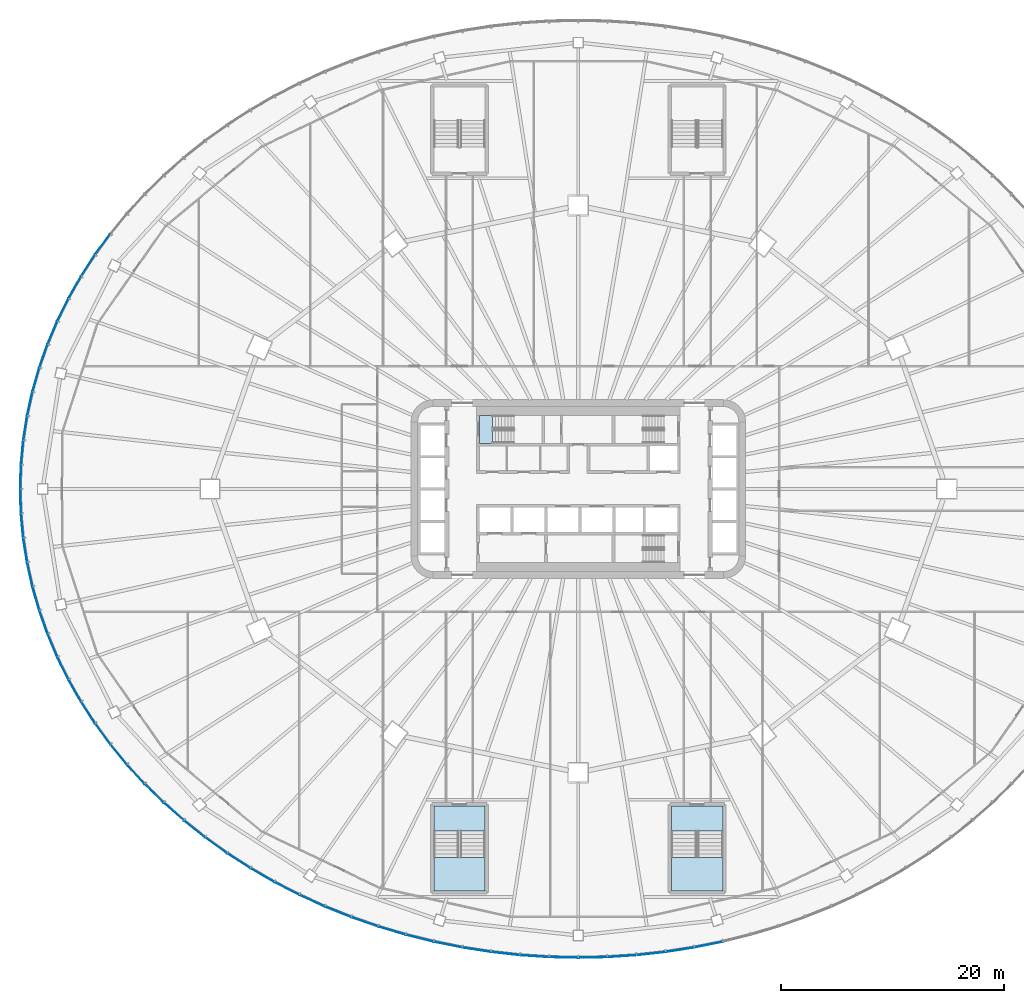
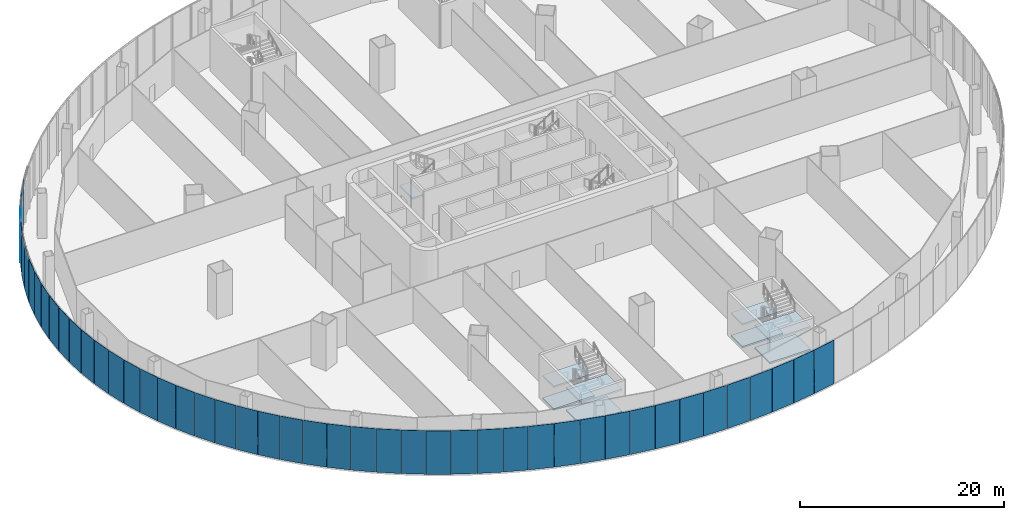
# One storey, part 16 of 42: 46 plates, 9 slabs, 13 elements without a shape of their own.
"""IFC4 building model written with IfcOpenShell, lengths in metres."""

from ifc_helpers import new_model, si_unit, direction, frame, origin, place, context, subcontext, project, spatial, polyline, outline, extrude, material, layer, layer_set, type_object, element, aggregate, save


model = new_model("IFC4")

# Units and contexts
model_context = context("Model", 3, precision=1e-05, world=origin(), true_north=direction((0.0, 1.0)))
body_context = subcontext(model_context, "Body", "Model", "MODEL_VIEW")
ifc_project = project(units=[si_unit("LENGTHUNIT", "METRE"), si_unit("AREAUNIT", "SQUARE_METRE"), si_unit("VOLUMEUNIT", "CUBIC_METRE"), si_unit("PLANEANGLEUNIT", "RADIAN"), si_unit("MASSUNIT", "GRAM", prefix="KILO")], contexts=[model_context])

# Site, building, storey
site_placement = place(None, origin())
site = spatial("IfcSite", under=ifc_project, at=site_placement, CompositionType="ELEMENT")
building_placement = place(site_placement, origin())
building = spatial("IfcBuilding", under=site, at=building_placement, Name="Sahrelin Media Tower", CompositionType="ELEMENT")
storey_placement = place(building_placement, frame((0.0, 0.0, 26.0)))
storey = spatial("IfcBuildingStorey", under=building, at=storey_placement, Name="L03", CompositionType="ELEMENT", Elevation=26.0)

# Curtain wall, plate
ifc_material_1 = material(Name="Champagne anodised aluminium 6063-T6", Category="aluminium")
ifc_layer_1 = layer(ifc_material_1, 0.14990234375)
ifc_layer_set_1 = layer_set([ifc_layer_1], Name="Podium ribbon curtain wall")
curtain_wall_type = type_object("IfcCurtainWallType", Name="Podium ribbon curtain wall", PredefinedType="NOTDEFINED", material=ifc_layer_set_1)
curtain_wall_1_placement = place(storey_placement, frame((-35.355224609375, 29.698486328125, 0.0), z_axis=(0.0, 0.0, 1.0), x_axis=(1.0, 0.0, 0.0)))
curtain_wall_1 = element("IfcCurtainWall", 1, at=curtain_wall_1_placement, inside=storey, type_object=curtain_wall_type, Name="L03:CW:L03-P09", PredefinedType="NOTDEFINED")
ifc_material_2 = material(Name="Clear low-iron glazing", Category="glass")
ifc_layer_2 = layer(ifc_material_2, 0.050048828125)
ifc_layer_set_2 = layer_set([ifc_layer_2], Name="Glazing panel 50 mm CW5")
plate_type = type_object("IfcPlateType", Name="Glazing panel 50 mm CW5", PredefinedType="CURTAIN_PANEL", material=ifc_layer_set_2)
plate_1_placement = place(storey_placement, frame((-41.97900390625, 22.84619140625, 0.0), z_axis=(-0.807851823107, 0.589385639376, 0.0), x_axis=(-0.589385639376, -0.807851823107, 0.0)))
plate_1 = element("IfcPlate", 2, at=plate_1_placement, type_object=plate_type, Name="L03:CWP5a:L03-P09", PredefinedType="CURTAIN_PANEL", context=body_context, shape_type="SweptSolid", body=[
    extrude(outline(polyline([(0.0, 0.0), (2.270751953125, 0.0), (2.270751953125, 5.199951171875), (0.0, 5.199951171875), (0.0, 0.0)])), origin(), (0.0, 0.0, -1.0), 0.050048828125),
])
aggregate(curtain_wall_1, [plate_1])

# Curtain wall, plates
curtain_wall_2_placement = place(storey_placement, frame((-43.30126953125, 21.0, 0.0), z_axis=(0.0, 0.0, 1.0), x_axis=(1.0, 0.0, 0.0)))
curtain_wall_2 = element("IfcCurtainWall", 3, at=curtain_wall_2_placement, inside=storey, type_object=curtain_wall_type, Name="L03:CW:L03-P10", PredefinedType="NOTDEFINED")
plate_2_placement = place(storey_placement, frame((-43.34521484375, 20.968994140625, 0.0), z_axis=(-0.8398261415, 0.542855461476, 0.0), x_axis=(-0.542855461476, -0.8398261415, 0.0)))
plate_2 = element("IfcPlate", 4, at=plate_2_placement, type_object=plate_type, Name="L03:CWP1a:L03-P10", PredefinedType="CURTAIN_PANEL", context=body_context, shape_type="SweptSolid", body=[
    extrude(outline(polyline([(0.0, 0.0), (2.2509765625, 0.0), (2.2509765625, 5.199951171875), (0.0, 5.199951171875), (0.0, 0.0)])), origin(), (0.0, 0.0, -1.0), 0.050048828125),
])
plate_3_placement = place(storey_placement, frame((-44.59228515625, 19.033935546875, 0.0), z_axis=(-0.869579307172, 0.493793305481, 0.0), x_axis=(-0.493793305481, -0.869579307172, 0.0)))
plate_3 = element("IfcPlate", 5, at=plate_3_placement, type_object=plate_type, Name="L03:CWP2a:L03-P10", PredefinedType="CURTAIN_PANEL", context=body_context, shape_type="SweptSolid", body=[
    extrude(outline(polyline([(0.0, 0.0), (2.232421875, 0.0), (2.232421875, 5.199951171875), (0.0, 5.199951171875), (0.0, 0.0)])), origin(), (0.0, 0.0, -1.0), 0.050048828125),
])
plate_4_placement = place(storey_placement, frame((-45.71728515625, 17.046875, 0.0), z_axis=(-0.896860688501, 0.442313130509, 0.0), x_axis=(-0.442313130509, -0.896860688501, 0.0)))
plate_4 = element("IfcPlate", 6, at=plate_4_placement, type_object=plate_type, Name="L03:CWP3a:L03-P10", PredefinedType="CURTAIN_PANEL", context=body_context, shape_type="SweptSolid", body=[
    extrude(outline(polyline([(0.0, 0.0), (2.215087890625, 0.0), (2.215087890625, 5.199951171875), (0.0, 5.199951171875), (0.0, 0.0)])), origin(), (0.0, 0.0, -1.0), 0.050048828125),
])
plate_5_placement = place(storey_placement, frame((-46.716796875, 15.01318359375, 0.0), z_axis=(-0.921443029492, 0.388513504785, 0.0), x_axis=(-0.388513504785, -0.921443029492, 0.0)))
plate_5 = element("IfcPlate", 7, at=plate_5_placement, type_object=plate_type, Name="L03:CWP4a:L03-P10", PredefinedType="CURTAIN_PANEL", context=body_context, shape_type="SweptSolid", body=[
    extrude(outline(polyline([(0.0, 0.0), (2.199462890625, 0.0), (2.199462890625, 5.199951171875), (0.0, 5.199951171875), (0.0, 0.0)])), origin(), (0.0, 0.0, -1.0), 0.050048828125),
])
plate_6_placement = place(storey_placement, frame((-47.58837890625, 12.938232421875, 0.0), z_axis=(-0.943078982839, 0.332568838179, 0.0), x_axis=(-0.332568838179, -0.943078982839, 0.0)))
plate_6 = element("IfcPlate", 8, at=plate_6_placement, type_object=plate_type, Name="L03:CWP5a:L03-P10", PredefinedType="CURTAIN_PANEL", context=body_context, shape_type="SweptSolid", body=[
    extrude(outline(polyline([(0.0, 0.0), (2.185546875, 0.0), (2.185546875, 5.199951171875), (0.0, 5.199951171875), (0.0, 0.0)])), origin(), (0.0, 0.0, -1.0), 0.050048828125),
])
aggregate(curtain_wall_2, [plate_2, plate_3, plate_4, plate_5, plate_6])

curtain_wall_3_placement = place(storey_placement, frame((-48.29638671875, 10.870361328125, 0.0), z_axis=(0.0, 0.0, 1.0), x_axis=(1.0, 0.0, 0.0)))
curtain_wall_3 = element("IfcCurtainWall", 9, at=curtain_wall_3_placement, inside=storey, type_object=curtain_wall_type, Name="L03:CW:L03-P11", PredefinedType="NOTDEFINED")
plate_7_placement = place(storey_placement, frame((-48.329345703125, 10.827880859375, 0.0), z_axis=(-0.961523947641, 0.274721127897, 0.0), x_axis=(-0.274721127897, -0.961523947641, 0.0)))
plate_7 = element("IfcPlate", 10, at=plate_7_placement, type_object=plate_type, Name="L03:CWP1a:L03-P11", PredefinedType="CURTAIN_PANEL", context=body_context, shape_type="SweptSolid", body=[
    extrude(outline(polyline([(0.0, 0.0), (2.173828125, 0.0), (2.173828125, 5.199951171875), (0.0, 5.199951171875), (0.0, 0.0)])), origin(), (0.0, 0.0, -1.0), 0.050048828125),
])
plate_8_placement = place(storey_placement, frame((-48.937744140625, 8.687744140625, 0.0), z_axis=(-0.976533544089, 0.215365357632, 0.0), x_axis=(-0.215365357632, -0.976533544089, 0.0)))
plate_8 = element("IfcPlate", 11, at=plate_8_placement, type_object=plate_type, Name="L03:CWP2a:L03-P11", PredefinedType="CURTAIN_PANEL", context=body_context, shape_type="SweptSolid", body=[
    extrude(outline(polyline([(0.0, 0.0), (2.1640625, 0.0), (2.1640625, 5.199951171875), (0.0, 5.199951171875), (0.0, 0.0)])), origin(), (0.0, 0.0, -1.0), 0.050048828125),
])
plate_9_placement = place(storey_placement, frame((-49.411865234375, 6.52392578125, 0.0), z_axis=(-0.987935832561, 0.154863781247, 0.0), x_axis=(-0.154863781247, -0.987935832561, 0.0)))
plate_9 = element("IfcPlate", 12, at=plate_9_placement, type_object=plate_type, Name="L03:CWP3a:L03-P11", PredefinedType="CURTAIN_PANEL", context=body_context, shape_type="SweptSolid", body=[
    extrude(outline(polyline([(0.0, 0.0), (2.15673828125, 0.0), (2.15673828125, 5.199951171875), (0.0, 5.199951171875), (0.0, 0.0)])), origin(), (0.0, 0.0, -1.0), 0.050048828125),
])
plate_10_placement = place(storey_placement, frame((-49.750732421875, 4.34228515625, 0.0), z_axis=(-0.995641143161, 0.093266896829, 0.0), x_axis=(-0.093266896829, -0.995641143161, 0.0)))
plate_10 = element("IfcPlate", 13, at=plate_10_placement, type_object=plate_type, Name="L03:CWP4a:L03-P11", PredefinedType="CURTAIN_PANEL", context=body_context, shape_type="SweptSolid", body=[
    extrude(outline(polyline([(0.0, 0.0), (2.151611328125, 0.0), (2.151611328125, 5.199951171875), (0.0, 5.199951171875), (0.0, 0.0)])), origin(), (0.0, 0.0, -1.0), 0.050048828125),
])
plate_11_placement = place(storey_placement, frame((-49.952880859375, 2.148681640625, 0.0), z_axis=(-0.999511965258, 0.031238298721, 0.0), x_axis=(-0.031238298721, -0.999511965258, 0.0)))
plate_11 = element("IfcPlate", 14, at=plate_11_placement, type_object=plate_type, Name="L03:CWP5a:L03-P11", PredefinedType="CURTAIN_PANEL", context=body_context, shape_type="SweptSolid", body=[
    extrude(outline(polyline([(0.0, 0.0), (2.149169921875, 0.0), (2.149169921875, 5.199951171875), (0.0, 5.199951171875), (0.0, 0.0)])), origin(), (0.0, 0.0, -1.0), 0.050048828125),
])
aggregate(curtain_wall_3, [plate_7, plate_8, plate_9, plate_10, plate_11])

curtain_wall_4_placement = place(storey_placement, frame((-50.0, 0.0, 0.0), z_axis=(0.0, 0.0, 1.0), x_axis=(1.0, 0.0, 0.0)))
curtain_wall_4 = element("IfcCurtainWall", 15, at=curtain_wall_4_placement, inside=storey, type_object=curtain_wall_type, Name="L03:CW:L03-P12", PredefinedType="NOTDEFINED")
plate_12_placement = place(storey_placement, frame((-50.018310546875, -0.050537109375, 0.0), z_axis=(-0.999515505573, -0.031124815153, 0.0), x_axis=(0.031124815153, -0.999515505573, 0.0)))
plate_12 = element("IfcPlate", 16, at=plate_12_placement, type_object=plate_type, Name="L03:CWP1a:L03-P12", PredefinedType="CURTAIN_PANEL", context=body_context, shape_type="SweptSolid", body=[
    extrude(outline(polyline([(0.0, 0.0), (2.149169921875, 0.0), (2.149169921875, 5.199951171875), (0.0, 5.199951171875), (0.0, 0.0)])), origin(), (0.0, 0.0, -1.0), 0.050048828125),
])
plate_13_placement = place(storey_placement, frame((-49.94677734375, -2.249755859375, 0.0), z_axis=(-0.995641143161, -0.093266896829, 0.0), x_axis=(0.093266896829, -0.995641143161, 0.0)))
plate_13 = element("IfcPlate", 17, at=plate_13_placement, type_object=plate_type, Name="L03:CWP2a:L03-P12", PredefinedType="CURTAIN_PANEL", context=body_context, shape_type="SweptSolid", body=[
    extrude(outline(polyline([(0.0, 0.0), (2.151611328125, 0.0), (2.151611328125, 5.199951171875), (0.0, 5.199951171875), (0.0, 0.0)])), origin(), (0.0, 0.0, -1.0), 0.050048828125),
])
plate_14_placement = place(storey_placement, frame((-49.738037109375, -4.442626953125, 0.0), z_axis=(-0.987953146465, -0.154753288784, 0.0), x_axis=(0.154753288784, -0.987953146465, 0.0)))
plate_14 = element("IfcPlate", 18, at=plate_14_placement, type_object=plate_type, Name="L03:CWP3a:L03-P12", PredefinedType="CURTAIN_PANEL", context=body_context, shape_type="SweptSolid", body=[
    extrude(outline(polyline([(0.0, 0.0), (2.156494140625, 0.0), (2.156494140625, 5.199951171875), (0.0, 5.199951171875), (0.0, 0.0)])), origin(), (0.0, 0.0, -1.0), 0.050048828125),
])
plate_15_placement = place(storey_placement, frame((-49.393310546875, -6.623291015625, 0.0), z_axis=(-0.976509812281, -0.21547293686, 0.0), x_axis=(0.21547293686, -0.976509812281, 0.0)))
plate_15 = element("IfcPlate", 19, at=plate_15_placement, type_object=plate_type, Name="L03:CWP4a:L03-P12", PredefinedType="CURTAIN_PANEL", context=body_context, shape_type="SweptSolid", body=[
    extrude(outline(polyline([(0.0, 0.0), (2.1640625, 0.0), (2.1640625, 5.199951171875), (0.0, 5.199951171875), (0.0, 0.0)])), origin(), (0.0, 0.0, -1.0), 0.050048828125),
])
plate_16_placement = place(storey_placement, frame((-48.912841796875, -8.785888671875, 0.0), z_axis=(-0.961494274984, -0.274824960972, 0.0), x_axis=(0.274824960972, -0.961494274984, 0.0)))
plate_16 = element("IfcPlate", 20, at=plate_16_placement, type_object=plate_type, Name="L03:CWP5a:L03-P12", PredefinedType="CURTAIN_PANEL", context=body_context, shape_type="SweptSolid", body=[
    extrude(outline(polyline([(0.0, 0.0), (2.173828125, 0.0), (2.173828125, 5.199951171875), (0.0, 5.199951171875), (0.0, 0.0)])), origin(), (0.0, 0.0, -1.0), 0.050048828125),
])
aggregate(curtain_wall_4, [plate_12, plate_13, plate_14, plate_15, plate_16])

curtain_wall_5_placement = place(storey_placement, frame((-48.29638671875, -10.870361328125, 0.0), z_axis=(0.0, 0.0, 1.0), x_axis=(1.0, 0.0, 0.0)))
curtain_wall_5 = element("IfcCurtainWall", 21, at=curtain_wall_5_placement, inside=storey, type_object=curtain_wall_type, Name="L03:CW:L03-P13", PredefinedType="NOTDEFINED")
plate_17_placement = place(storey_placement, frame((-48.298583984375, -10.92431640625, 0.0), z_axis=(-0.943078982839, -0.332568838179, 0.0), x_axis=(0.332568838179, -0.943078982839, 0.0)))
plate_17 = element("IfcPlate", 22, at=plate_17_placement, type_object=plate_type, Name="L03:CWP1a:L03-P13", PredefinedType="CURTAIN_PANEL", context=body_context, shape_type="SweptSolid", body=[
    extrude(outline(polyline([(0.0, 0.0), (2.185546875, 0.0), (2.185546875, 5.199951171875), (0.0, 5.199951171875), (0.0, 0.0)])), origin(), (0.0, 0.0, -1.0), 0.050048828125),
])
plate_18_placement = place(storey_placement, frame((-47.5517578125, -13.032470703125, 0.0), z_axis=(-0.921499510247, -0.388379521363, 0.0), x_axis=(0.388379521363, -0.921499510247, 0.0)))
plate_18 = element("IfcPlate", 23, at=plate_18_placement, type_object=plate_type, Name="L03:CWP2a:L03-P13", PredefinedType="CURTAIN_PANEL", context=body_context, shape_type="SweptSolid", body=[
    extrude(outline(polyline([(0.0, 0.0), (2.199462890625, 0.0), (2.199462890625, 5.199951171875), (0.0, 5.199951171875), (0.0, 0.0)])), origin(), (0.0, 0.0, -1.0), 0.050048828125),
])
plate_19_placement = place(storey_placement, frame((-46.6748046875, -15.105224609375, 0.0), z_axis=(-0.896904409808, -0.442224467513, 0.0), x_axis=(0.442224467513, -0.896904409808, 0.0)))
plate_19 = element("IfcPlate", 24, at=plate_19_placement, type_object=plate_type, Name="L03:CWP3a:L03-P13", PredefinedType="CURTAIN_PANEL", context=body_context, shape_type="SweptSolid", body=[
    extrude(outline(polyline([(0.0, 0.0), (2.21484375, 0.0), (2.21484375, 5.199951171875), (0.0, 5.199951171875), (0.0, 0.0)])), origin(), (0.0, 0.0, -1.0), 0.050048828125),
])
plate_20_placement = place(storey_placement, frame((-45.669921875, -17.13623046875, 0.0), z_axis=(-0.869579307172, -0.493793305481, 0.0), x_axis=(0.493793305481, -0.869579307172, 0.0)))
plate_20 = element("IfcPlate", 25, at=plate_20_placement, type_object=plate_type, Name="L03:CWP4a:L03-P13", PredefinedType="CURTAIN_PANEL", context=body_context, shape_type="SweptSolid", body=[
    extrude(outline(polyline([(0.0, 0.0), (2.232421875, 0.0), (2.232421875, 5.199951171875), (0.0, 5.199951171875), (0.0, 0.0)])), origin(), (0.0, 0.0, -1.0), 0.050048828125),
])
plate_21_placement = place(storey_placement, frame((-44.5400390625, -19.120361328125, 0.0), z_axis=(-0.839858100208, -0.542806016469, 0.0), x_axis=(0.542806016469, -0.839858100208, 0.0)))
plate_21 = element("IfcPlate", 26, at=plate_21_placement, type_object=plate_type, Name="L03:CWP5a:L03-P13", PredefinedType="CURTAIN_PANEL", context=body_context, shape_type="SweptSolid", body=[
    extrude(outline(polyline([(0.0, 0.0), (2.251220703125, 0.0), (2.251220703125, 5.199951171875), (0.0, 5.199951171875), (0.0, 0.0)])), origin(), (0.0, 0.0, -1.0), 0.050048828125),
])
aggregate(curtain_wall_5, [plate_17, plate_18, plate_19, plate_20, plate_21])

curtain_wall_6_placement = place(storey_placement, frame((-43.30126953125, -21.0, 0.0), z_axis=(0.0, 0.0, 1.0), x_axis=(1.0, 0.0, 0.0)))
curtain_wall_6 = element("IfcCurtainWall", 27, at=curtain_wall_6_placement, inside=storey, type_object=curtain_wall_type, Name="L03:CW:L03-P14", PredefinedType="NOTDEFINED")
plate_22_placement = place(storey_placement, frame((-43.2880859375, -21.05224609375, 0.0), z_axis=(-0.807851823107, -0.589385639376, 0.0), x_axis=(0.589385639376, -0.807851823107, 0.0)))
plate_22 = element("IfcPlate", 28, at=plate_22_placement, type_object=plate_type, Name="L03:CWP1a:L03-P14", PredefinedType="CURTAIN_PANEL", context=body_context, shape_type="SweptSolid", body=[
    extrude(outline(polyline([(0.0, 0.0), (2.270751953125, 0.0), (2.270751953125, 5.199951171875), (0.0, 5.199951171875), (0.0, 0.0)])), origin(), (0.0, 0.0, -1.0), 0.050048828125),
])
plate_23_placement = place(storey_placement, frame((-41.917236328125, -22.92626953125, 0.0), z_axis=(-0.773971540698, -0.633220383586, 0.0), x_axis=(0.633220383586, -0.773971540698, 0.0)))
plate_23 = element("IfcPlate", 29, at=plate_23_placement, type_object=plate_type, Name="L03:CWP2a:L03-P14", PredefinedType="CURTAIN_PANEL", context=body_context, shape_type="SweptSolid", body=[
    extrude(outline(polyline([(0.0, 0.0), (2.291259765625, 0.0), (2.291259765625, 5.199951171875), (0.0, 5.199951171875), (0.0, 0.0)])), origin(), (0.0, 0.0, -1.0), 0.050048828125),
])
plate_24_placement = place(storey_placement, frame((-40.431884765625, -24.7373046875, 0.0), z_axis=(-0.738366649953, -0.674399503438, 0.0), x_axis=(0.674399503438, -0.738366649953, 0.0)))
plate_24 = element("IfcPlate", 30, at=plate_24_placement, type_object=plate_type, Name="L03:CWP3a:L03-P14", PredefinedType="CURTAIN_PANEL", context=body_context, shape_type="SweptSolid", body=[
    extrude(outline(polyline([(0.0, 0.0), (2.31298828125, 0.0), (2.31298828125, 5.199951171875), (0.0, 5.199951171875), (0.0, 0.0)])), origin(), (0.0, 0.0, -1.0), 0.050048828125),
])
plate_25_placement = place(storey_placement, frame((-38.835693359375, -26.480712890625, 0.0), z_axis=(-0.701226778189, -0.712938290142, 0.0), x_axis=(0.712938290142, -0.701226778189, 0.0)))
plate_25 = element("IfcPlate", 31, at=plate_25_placement, type_object=plate_type, Name="L03:CWP4a:L03-P14", PredefinedType="CURTAIN_PANEL", context=body_context, shape_type="SweptSolid", body=[
    extrude(outline(polyline([(0.0, 0.0), (2.334716796875, 0.0), (2.334716796875, 5.199951171875), (0.0, 5.199951171875), (0.0, 0.0)])), origin(), (0.0, 0.0, -1.0), 0.050048828125),
])
plate_26_placement = place(storey_placement, frame((-37.133056640625, -28.151611328125, 0.0), z_axis=(-0.662799646717, -0.74879678706, 0.0), x_axis=(0.74879678706, -0.662799646717, 0.0)))
plate_26 = element("IfcPlate", 32, at=plate_26_placement, type_object=plate_type, Name="L03:CWP5a:L03-P14", PredefinedType="CURTAIN_PANEL", context=body_context, shape_type="SweptSolid", body=[
    extrude(outline(polyline([(0.0, 0.0), (2.356201171875, 0.0), (2.356201171875, 5.199951171875), (0.0, 5.199951171875), (0.0, 0.0)])), origin(), (0.0, 0.0, -1.0), 0.050048828125),
])
aggregate(curtain_wall_6, [plate_22, plate_23, plate_24, plate_25, plate_26])

curtain_wall_7_placement = place(storey_placement, frame((-35.355224609375, -29.698486328125, 0.0), z_axis=(0.0, 0.0, 1.0), x_axis=(1.0, 0.0, 0.0)))
curtain_wall_7 = element("IfcCurtainWall", 33, at=curtain_wall_7_placement, inside=storey, type_object=curtain_wall_type, Name="L03:CW:L03-P15", PredefinedType="NOTDEFINED")
plate_27_placement = place(storey_placement, frame((-35.32861328125, -29.745361328125, 0.0), z_axis=(-0.62334202437, -0.781949308238, 0.0), x_axis=(0.781949308238, -0.62334202437, 0.0)))
plate_27 = element("IfcPlate", 34, at=plate_27_placement, type_object=plate_type, Name="L03:CWP1a:L03-P15", PredefinedType="CURTAIN_PANEL", context=body_context, shape_type="SweptSolid", body=[
    extrude(outline(polyline([(0.0, 0.0), (2.378173828125, 0.0), (2.378173828125, 5.199951171875), (0.0, 5.199951171875), (0.0, 0.0)])), origin(), (0.0, 0.0, -1.0), 0.050048828125),
])
plate_28_placement = place(storey_placement, frame((-33.427490234375, -31.257568359375, 0.0), z_axis=(-0.582969203384, -0.812494250999, 0.0), x_axis=(0.812494250999, -0.582969203384, 0.0)))
plate_28 = element("IfcPlate", 35, at=plate_28_placement, type_object=plate_type, Name="L03:CWP2a:L03-P15", PredefinedType="CURTAIN_PANEL", context=body_context, shape_type="SweptSolid", body=[
    extrude(outline(polyline([(0.0, 0.0), (2.399658203125, 0.0), (2.399658203125, 5.199951171875), (0.0, 5.199951171875), (0.0, 0.0)])), origin(), (0.0, 0.0, -1.0), 0.050048828125),
])
plate_29_placement = place(storey_placement, frame((-31.434814453125, -32.68408203125, 0.0), z_axis=(-0.541786842033, -0.840515923585, 0.0), x_axis=(0.840515923585, -0.541786842033, 0.0)))
plate_29 = element("IfcPlate", 36, at=plate_29_placement, type_object=plate_type, Name="L03:CWP3a:L03-P15", PredefinedType="CURTAIN_PANEL", context=body_context, shape_type="SweptSolid", body=[
    extrude(outline(polyline([(0.0, 0.0), (2.420654296875, 0.0), (2.420654296875, 5.199951171875), (0.0, 5.199951171875), (0.0, 0.0)])), origin(), (0.0, 0.0, -1.0), 0.050048828125),
])
plate_30_placement = place(storey_placement, frame((-29.35595703125, -34.02099609375, 0.0), z_axis=(-0.499979298005, -0.866037355757, 0.0), x_axis=(0.866037355757, -0.499979298005, 0.0)))
plate_30 = element("IfcPlate", 37, at=plate_30_placement, type_object=plate_type, Name="L03:CWP4a:L03-P15", PredefinedType="CURTAIN_PANEL", context=body_context, shape_type="SweptSolid", body=[
    extrude(outline(polyline([(0.0, 0.0), (2.44091796875, 0.0), (2.44091796875, 5.199951171875), (0.0, 5.199951171875), (0.0, 0.0)])), origin(), (0.0, 0.0, -1.0), 0.050048828125),
])
plate_31_placement = place(storey_placement, frame((-27.19677734375, -35.264892578125, 0.0), z_axis=(-0.457661890487, -0.88912630936, 0.0), x_axis=(0.88912630936, -0.457661890487, 0.0)))
plate_31 = element("IfcPlate", 38, at=plate_31_placement, type_object=plate_type, Name="L03:CWP5a:L03-P15", PredefinedType="CURTAIN_PANEL", context=body_context, shape_type="SweptSolid", body=[
    extrude(outline(polyline([(0.0, 0.0), (2.460205078125, 0.0), (2.460205078125, 5.199951171875), (0.0, 5.199951171875), (0.0, 0.0)])), origin(), (0.0, 0.0, -1.0), 0.050048828125),
])
aggregate(curtain_wall_7, [plate_27, plate_28, plate_29, plate_30, plate_31])

curtain_wall_8_placement = place(storey_placement, frame((-25.0, -36.373046875, 0.0), z_axis=(0.0, 0.0, 1.0), x_axis=(1.0, 0.0, 0.0)))
curtain_wall_8 = element("IfcCurtainWall", 39, at=curtain_wall_8_placement, inside=storey, type_object=curtain_wall_type, Name="L03:CW:L03-P16", PredefinedType="NOTDEFINED")
plate_32_placement = place(storey_placement, frame((-24.962890625, -36.412109375, 0.0), z_axis=(-0.414893598906, -0.909869936632, 0.0), x_axis=(0.909869936632, -0.414893598906, 0.0)))
plate_32 = element("IfcPlate", 40, at=plate_32_placement, type_object=plate_type, Name="L03:CWP1a:L03-P16", PredefinedType="CURTAIN_PANEL", context=body_context, shape_type="SweptSolid", body=[
    extrude(outline(polyline([(0.0, 0.0), (2.478515625, 0.0), (2.478515625, 5.199951171875), (0.0, 5.199951171875), (0.0, 0.0)])), origin(), (0.0, 0.0, -1.0), 0.050048828125),
])
plate_33_placement = place(storey_placement, frame((-22.660400390625, -37.45947265625, 0.0), z_axis=(-0.371913588766, -0.928267355071, 0.0), x_axis=(0.928267355071, -0.371913588766, 0.0)))
plate_33 = element("IfcPlate", 41, at=plate_33_placement, type_object=plate_type, Name="L03:CWP2a:L03-P16", PredefinedType="CURTAIN_PANEL", context=body_context, shape_type="SweptSolid", body=[
    extrude(outline(polyline([(0.0, 0.0), (2.4951171875, 0.0), (2.4951171875, 5.199951171875), (0.0, 5.199951171875), (0.0, 0.0)])), origin(), (0.0, 0.0, -1.0), 0.050048828125),
])
plate_34_placement = place(storey_placement, frame((-20.296142578125, -38.404296875, 0.0), z_axis=(-0.328599832248, -0.944469242615, 0.0), x_axis=(0.944469242615, -0.328599832248, 0.0)))
plate_34 = element("IfcPlate", 42, at=plate_34_placement, type_object=plate_type, Name="L03:CWP3a:L03-P16", PredefinedType="CURTAIN_PANEL", context=body_context, shape_type="SweptSolid", body=[
    extrude(outline(polyline([(0.0, 0.0), (2.510498046875, 0.0), (2.510498046875, 5.199951171875), (0.0, 5.199951171875), (0.0, 0.0)])), origin(), (0.0, 0.0, -1.0), 0.050048828125),
])
plate_35_placement = place(storey_placement, frame((-17.876220703125, -39.243896484375, 0.0), z_axis=(-0.285102349758, -0.958497078849, 0.0), x_axis=(0.958497078849, -0.285102349758, 0.0)))
plate_35 = element("IfcPlate", 43, at=plate_35_placement, type_object=plate_type, Name="L03:CWP4a:L03-P16", PredefinedType="CURTAIN_PANEL", context=body_context, shape_type="SweptSolid", body=[
    extrude(outline(polyline([(0.0, 0.0), (2.5244140625, 0.0), (2.5244140625, 5.199951171875), (0.0, 5.199951171875), (0.0, 0.0)])), origin(), (0.0, 0.0, -1.0), 0.050048828125),
])
plate_36_placement = place(storey_placement, frame((-15.406982421875, -39.975830078125, 0.0), z_axis=(-0.241516267963, -0.970396770558, 0.0), x_axis=(0.970396770558, -0.241516267963, 0.0)))
plate_36 = element("IfcPlate", 44, at=plate_36_placement, type_object=plate_type, Name="L03:CWP5a:L03-P16", PredefinedType="CURTAIN_PANEL", context=body_context, shape_type="SweptSolid", body=[
    extrude(outline(polyline([(0.0, 0.0), (2.536376953125, 0.0), (2.536376953125, 5.199951171875), (0.0, 5.199951171875), (0.0, 0.0)])), origin(), (0.0, 0.0, -1.0), 0.050048828125),
])
aggregate(curtain_wall_8, [plate_32, plate_33, plate_34, plate_35, plate_36])

curtain_wall_9_placement = place(storey_placement, frame((-12.94091796875, -40.56884765625, 0.0), z_axis=(0.0, 0.0, 1.0), x_axis=(1.0, 0.0, 0.0)))
curtain_wall_9 = element("IfcCurtainWall", 45, at=curtain_wall_9_placement, inside=storey, type_object=curtain_wall_type, Name="L03:CW:L03-P17", PredefinedType="NOTDEFINED")
plate_37_placement = place(storey_placement, frame((-12.89599609375, -40.598388671875, 0.0), z_axis=(-0.197682982877, -0.980266003838, 0.0), x_axis=(0.980266003838, -0.197682982877, 0.0)))
plate_37 = element("IfcPlate", 46, at=plate_37_placement, type_object=plate_type, Name="L03:CWP1a:L03-P17", PredefinedType="CURTAIN_PANEL", context=body_context, shape_type="SweptSolid", body=[
    extrude(outline(polyline([(0.0, 0.0), (2.546630859375, 0.0), (2.546630859375, 5.199951171875), (0.0, 5.199951171875), (0.0, 0.0)])), origin(), (0.0, 0.0, -1.0), 0.050048828125),
])
plate_38_placement = place(storey_placement, frame((-10.349365234375, -41.109619140625, 0.0), z_axis=(-0.153837616307, -0.988096142999, 0.0), x_axis=(0.988096142999, -0.153837616307, 0.0)))
plate_38 = element("IfcPlate", 47, at=plate_38_placement, type_object=plate_type, Name="L03:CWP2a:L03-P17", PredefinedType="CURTAIN_PANEL", context=body_context, shape_type="SweptSolid", body=[
    extrude(outline(polyline([(0.0, 0.0), (2.55517578125, 0.0), (2.55517578125, 5.199951171875), (0.0, 5.199951171875), (0.0, 0.0)])), origin(), (0.0, 0.0, -1.0), 0.050048828125),
])
plate_39_placement = place(storey_placement, frame((-7.774169921875, -41.50830078125, 0.0), z_axis=(-0.109908392122, -0.9939417213, 0.0), x_axis=(0.9939417213, -0.109908392122, 0.0)))
plate_39 = element("IfcPlate", 48, at=plate_39_placement, type_object=plate_type, Name="L03:CWP3a:L03-P17", PredefinedType="CURTAIN_PANEL", context=body_context, shape_type="SweptSolid", body=[
    extrude(outline(polyline([(0.0, 0.0), (2.561279296875, 0.0), (2.561279296875, 5.199951171875), (0.0, 5.199951171875), (0.0, 0.0)])), origin(), (0.0, 0.0, -1.0), 0.050048828125),
])
plate_40_placement = place(storey_placement, frame((-5.177734375, -41.793212890625, 0.0), z_axis=(-0.065956789275, -0.997822480178, 0.0), x_axis=(0.997822480178, -0.065956789275, 0.0)))
plate_40 = element("IfcPlate", 49, at=plate_40_placement, type_object=plate_type, Name="L03:CWP4a:L03-P17", PredefinedType="CURTAIN_PANEL", context=body_context, shape_type="SweptSolid", body=[
    extrude(outline(polyline([(0.0, 0.0), (2.565185546875, 0.0), (2.565185546875, 5.199951171875), (0.0, 5.199951171875), (0.0, 0.0)])), origin(), (0.0, 0.0, -1.0), 0.050048828125),
])
plate_41_placement = place(storey_placement, frame((-2.5673828125, -41.96337890625, 0.0), z_axis=(-0.022060447041, -0.999756638726, 0.0), x_axis=(0.999756638726, -0.022060447041, 0.0)))
plate_41 = element("IfcPlate", 50, at=plate_41_placement, type_object=plate_type, Name="L03:CWP5a:L03-P17", PredefinedType="CURTAIN_PANEL", context=body_context, shape_type="SweptSolid", body=[
    extrude(outline(polyline([(0.0, 0.0), (2.567626953125, 0.0), (2.567626953125, 5.199951171875), (0.0, 5.199951171875), (0.0, 0.0)])), origin(), (0.0, 0.0, -1.0), 0.050048828125),
])
aggregate(curtain_wall_9, [plate_37, plate_38, plate_39, plate_40, plate_41])

curtain_wall_10_placement = place(storey_placement, frame((0.0, -42.0, 0.0), z_axis=(0.0, 0.0, 1.0), x_axis=(1.0, 0.0, 0.0)))
curtain_wall_10 = element("IfcCurtainWall", 51, at=curtain_wall_10_placement, inside=storey, type_object=curtain_wall_type, Name="L03:CW:L03-P18", PredefinedType="NOTDEFINED")
plate_42_placement = place(storey_placement, frame((0.05029296875, -42.018798828125, 0.0), z_axis=(0.021965404884, -0.999758731389, 0.0), x_axis=(0.999758731389, 0.021965404884, 0.0)))
plate_42 = element("IfcPlate", 52, at=plate_42_placement, type_object=plate_type, Name="L03:CWP1a:L03-P18", PredefinedType="CURTAIN_PANEL", context=body_context, shape_type="SweptSolid", body=[
    extrude(outline(polyline([(0.0, 0.0), (2.567626953125, 0.0), (2.567626953125, 5.199951171875), (0.0, 5.199951171875), (0.0, 0.0)])), origin(), (0.0, 0.0, -1.0), 0.050048828125),
])
plate_43_placement = place(storey_placement, frame((2.66796875, -41.958984375, 0.0), z_axis=(0.065950526052, -0.997822894162, 0.0), x_axis=(0.997822894162, 0.065950526052, 0.0)))
plate_43 = element("IfcPlate", 53, at=plate_43_placement, type_object=plate_type, Name="L03:CWP2a:L03-P18", PredefinedType="CURTAIN_PANEL", context=body_context, shape_type="SweptSolid", body=[
    extrude(outline(polyline([(0.0, 0.0), (2.5654296875, 0.0), (2.5654296875, 5.199951171875), (0.0, 5.199951171875), (0.0, 0.0)])), origin(), (0.0, 0.0, -1.0), 0.050048828125),
])
plate_44_placement = place(storey_placement, frame((5.2783203125, -41.7841796875, 0.0), z_axis=(0.109908392122, -0.9939417213, 0.0), x_axis=(0.9939417213, 0.109908392122, 0.0)))
plate_44 = element("IfcPlate", 54, at=plate_44_placement, type_object=plate_type, Name="L03:CWP3a:L03-P18", PredefinedType="CURTAIN_PANEL", context=body_context, shape_type="SweptSolid", body=[
    extrude(outline(polyline([(0.0, 0.0), (2.561279296875, 0.0), (2.561279296875, 5.199951171875), (0.0, 5.199951171875), (0.0, 0.0)])), origin(), (0.0, 0.0, -1.0), 0.050048828125),
])
plate_45_placement = place(storey_placement, frame((7.874267578125, -41.4951171875, 0.0), z_axis=(0.153852142069, -0.98809388136, 0.0), x_axis=(0.98809388136, 0.153852142069, 0.0)))
plate_45 = element("IfcPlate", 55, at=plate_45_placement, type_object=plate_type, Name="L03:CWP4a:L03-P18", PredefinedType="CURTAIN_PANEL", context=body_context, shape_type="SweptSolid", body=[
    extrude(outline(polyline([(0.0, 0.0), (2.554931640625, 0.0), (2.554931640625, 5.199951171875), (0.0, 5.199951171875), (0.0, 0.0)])), origin(), (0.0, 0.0, -1.0), 0.050048828125),
])
plate_46_placement = place(storey_placement, frame((10.448486328125, -41.091796875, 0.0), z_axis=(0.197664406805, -0.980269749754, 0.0), x_axis=(0.980269749754, 0.197664406805, 0.0)))
plate_46 = element("IfcPlate", 56, at=plate_46_placement, type_object=plate_type, Name="L03:CWP5a:L03-P18", PredefinedType="CURTAIN_PANEL", context=body_context, shape_type="SweptSolid", body=[
    extrude(outline(polyline([(0.0, 0.0), (2.546875, 0.0), (2.546875, 5.199951171875), (0.0, 5.199951171875), (0.0, 0.0)])), origin(), (0.0, 0.0, -1.0), 0.050048828125),
])
aggregate(curtain_wall_10, [plate_42, plate_43, plate_44, plate_45, plate_46])

# Stair, slab
ifc_material_3 = material(Name="Concrete C40/50", Category="concrete")
stair_type_1 = type_object("IfcStairType", Name="Exit stair 1200", PredefinedType="HALF_TURN_STAIR", material=ifc_material_3)
placement_1 = place(storey_placement, origin())
stair_1 = element("IfcStair", 57, at=placement_1, inside=storey, type_object=stair_type_1, Name="L03 Exit stair ST1", PredefinedType="HALF_TURN_STAIR")
ifc_layer_3 = layer(ifc_material_3, 0.199951171875)
ifc_layer_set_3 = layer_set([ifc_layer_3], Name="Stair landing 200")
slab_type = type_object("IfcSlabType", Name="Stair landing 200", PredefinedType="LANDING", material=ifc_layer_set_3)
placement_2 = place(storey_placement, frame((0.0, 0.0, 2.5)))
slab_1 = element("IfcSlab", 58, at=placement_2, type_object=slab_type, Name="ST1 landing 2", PredefinedType="LANDING", context=body_context, shape_type="SweptSolid", body=[
    extrude(outline(polyline([(-8.875, 4.10009765625), (-7.675048828125, 4.10009765625), (-7.675048828125, 6.60009765625), (-8.875, 6.60009765625), (-8.875, 4.10009765625)])), origin(), (0.0, 0.0, 1.0), 0.199951171875),
])
aggregate(stair_1, [slab_1])

# Stair, slabs
stair_type_2 = type_object("IfcStairType", Name="Podium stair 2225", PredefinedType="HALF_TURN_STAIR", material=ifc_material_3)
stair_2 = element("IfcStair", 59, at=placement_1, inside=storey, type_object=stair_type_2, Name="L03 Podium stair PS3", PredefinedType="HALF_TURN_STAIR")
placement_3 = place(storey_placement, frame((0.0, 0.0, 1.14990234375)))
slab_2 = element("IfcSlab", 60, at=placement_3, type_object=slab_type, Name="PS3 landing 1", PredefinedType="LANDING", context=body_context, shape_type="SweptSolid", body=[
    extrude(outline(polyline([(-12.949951171875, -33.02490234375), (-12.949951171875, -36.0), (-8.35009765625, -36.0), (-8.35009765625, -33.02490234375), (-12.949951171875, -33.02490234375)])), origin(), (0.0, 0.0, 1.0), 0.2001953125),
])
slab_3 = element("IfcSlab", 61, at=placement_2, type_object=slab_type, Name="PS3 landing 2", PredefinedType="LANDING", context=body_context, shape_type="SweptSolid", body=[
    extrude(outline(polyline([(-12.949951171875, -28.39990234375), (-12.949951171875, -30.625), (-8.35009765625, -30.625), (-8.35009765625, -28.39990234375), (-12.949951171875, -28.39990234375)])), origin(), (0.0, 0.0, 1.0), 0.199951171875),
])
placement_4 = place(storey_placement, frame((0.0, 0.0, 3.85009765625)))
slab_4 = element("IfcSlab", 62, at=placement_4, type_object=slab_type, Name="PS3 landing 3", PredefinedType="LANDING", context=body_context, shape_type="SweptSolid", body=[
    extrude(outline(polyline([(-12.949951171875, -33.02490234375), (-12.949951171875, -36.0), (-8.35009765625, -36.0), (-8.35009765625, -33.02490234375), (-12.949951171875, -33.02490234375)])), origin(), (0.0, 0.0, 1.0), 0.199951171875),
])
placement_5 = place(storey_placement, frame((0.0, 0.0, -0.199951171875)))
slab_5 = element("IfcSlab", 63, at=placement_5, type_object=slab_type, Name="PS3 landing 4", PredefinedType="LANDING", context=body_context, shape_type="SweptSolid", body=[
    extrude(outline(polyline([(-12.949951171875, -28.39990234375), (-12.949951171875, -30.625), (-8.35009765625, -30.625), (-8.35009765625, -28.39990234375), (-12.949951171875, -28.39990234375)])), origin(), (0.0, 0.0, 1.0), 0.199951171875),
])
aggregate(stair_2, [slab_2, slab_3, slab_4, slab_5])

stair_3 = element("IfcStair", 64, at=placement_1, inside=storey, type_object=stair_type_2, Name="L03 Podium stair PS4", PredefinedType="HALF_TURN_STAIR")
slab_6 = element("IfcSlab", 65, at=placement_3, type_object=slab_type, Name="PS4 landing 1", PredefinedType="LANDING", context=body_context, shape_type="SweptSolid", body=[
    extrude(outline(polyline([(8.35009765625, -33.02490234375), (8.35009765625, -36.0), (12.949951171875, -36.0), (12.949951171875, -33.02490234375), (8.35009765625, -33.02490234375)])), origin(), (0.0, 0.0, 1.0), 0.2001953125),
])
slab_7 = element("IfcSlab", 66, at=placement_2, type_object=slab_type, Name="PS4 landing 2", PredefinedType="LANDING", context=body_context, shape_type="SweptSolid", body=[
    extrude(outline(polyline([(8.35009765625, -28.39990234375), (8.35009765625, -30.625), (12.949951171875, -30.625), (12.949951171875, -28.39990234375), (8.35009765625, -28.39990234375)])), origin(), (0.0, 0.0, 1.0), 0.199951171875),
])
slab_8 = element("IfcSlab", 67, at=placement_4, type_object=slab_type, Name="PS4 landing 3", PredefinedType="LANDING", context=body_context, shape_type="SweptSolid", body=[
    extrude(outline(polyline([(8.35009765625, -33.02490234375), (8.35009765625, -36.0), (12.949951171875, -36.0), (12.949951171875, -33.02490234375), (8.35009765625, -33.02490234375)])), origin(), (0.0, 0.0, 1.0), 0.199951171875),
])
slab_9 = element("IfcSlab", 68, at=placement_5, type_object=slab_type, Name="PS4 landing 4", PredefinedType="LANDING", context=body_context, shape_type="SweptSolid", body=[
    extrude(outline(polyline([(8.35009765625, -28.39990234375), (8.35009765625, -30.625), (12.949951171875, -30.625), (12.949951171875, -28.39990234375), (8.35009765625, -28.39990234375)])), origin(), (0.0, 0.0, 1.0), 0.199951171875),
])
aggregate(stair_3, [slab_6, slab_7, slab_8, slab_9])

save(model, "model.ifc")
